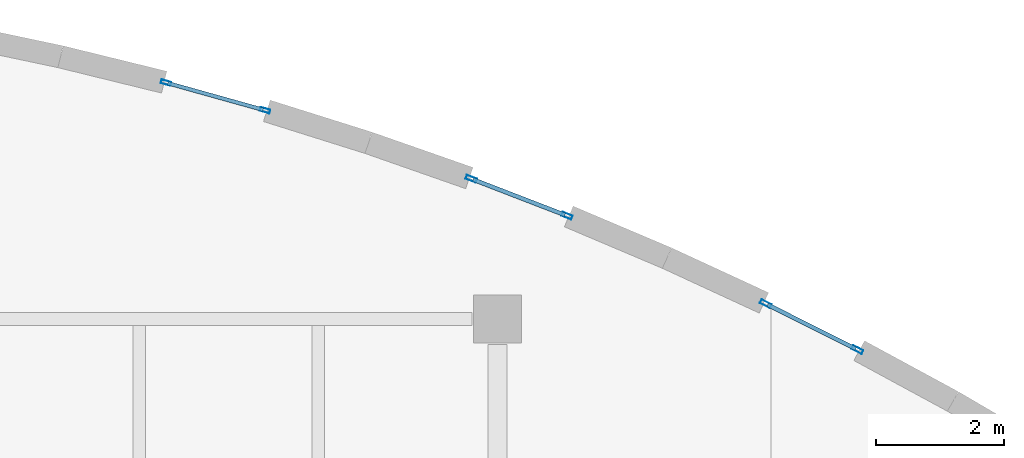
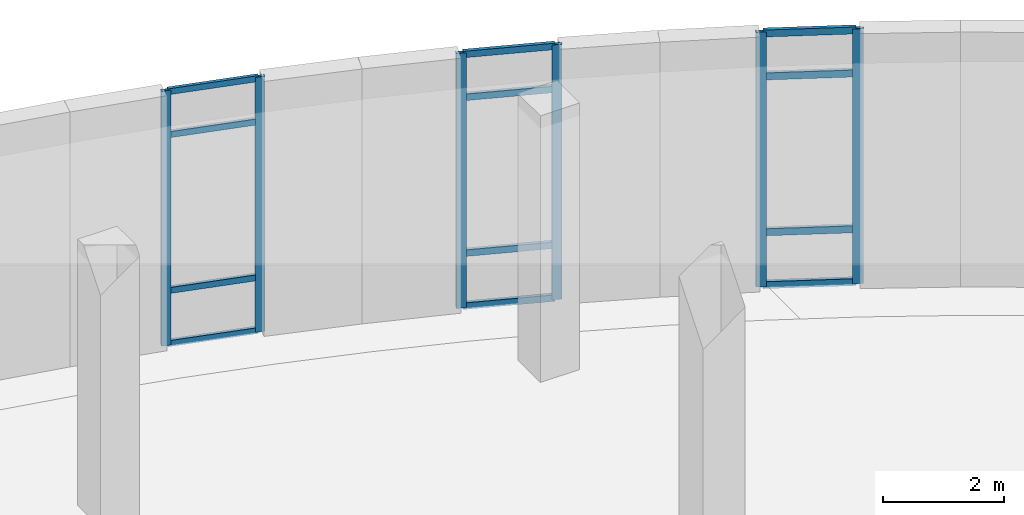
# One storey, part 54 of 110: 18 members, 3 elements without a shape of their own.
"""IFC4 building model written with IfcOpenShell, lengths in metres."""

import ifcopenshell
import ifcopenshell.guid

model = None  # the IFC model being written
_history = None  # IfcOwnerHistory: only IFC2X3 demands one
_inside = {}  # id of a spatial element -> (the spatial element, [elements in it])
_under = {}  # id of a project, library or spatial element -> (it, [spatial elements below it])
_declared = {}  # id of a project -> (the project, [libraries it declares])
_typed = {}  # id of a type object -> (the type object, [elements of that type])
_made_of = {}  # id of a material, layer set ... -> (it, [elements and type objects made of it])


def new_model(schema):
    """Start an empty IFC model of exactly this schema.

    Asked for "IFC4X3", IfcOpenShell would pick the latest addendum, in which some entities
    have other attributes; the version numbers below select the first issue.
    IFC2X3 requires an IfcOwnerHistory on every rooted entity: one is made here for all.
    """
    global model, _history
    if schema == "IFC4X3":
        model = ifcopenshell.file(schema_version=(4, 3, 0, 0))
    else:
        model = ifcopenshell.file(schema=schema)
    _inside.clear()
    _under.clear()
    _declared.clear()
    _typed.clear()
    _made_of.clear()
    _history = None
    if model.schema == "IFC2X3":
        org = make("IfcOrganization", Name="unknown")
        user = make(
            "IfcPersonAndOrganization",
            ThePerson=make("IfcPerson", FamilyName="unknown"),
            TheOrganization=org,
        )
        app = make(
            "IfcApplication",
            ApplicationDeveloper=org,
            Version="unknown",
            ApplicationFullName="unknown",
            ApplicationIdentifier="unknown",
        )
        _history = make(
            "IfcOwnerHistory",
            OwningUser=user,
            OwningApplication=app,
            ChangeAction="ADDED",
            CreationDate=0,
        )
    return model


def make(cls, **values):
    """One entity of the class cls with the attributes given. An attribute that is None is left unset."""
    return model.create_entity(
        cls, **{name: value for name, value in values.items() if value is not None}
    )


def rooted(cls, **values):
    """An entity with a GlobalId (a new one), such as an element, a storey or a relation."""
    return make(cls, GlobalId=ifcopenshell.guid.new(), OwnerHistory=_history, **values)


def si_unit(unit_type, name, prefix=None):
    """IfcSIUnit, for example si_unit("LENGTHUNIT", "METRE", prefix="MILLI")."""
    return make("IfcSIUnit", UnitType=unit_type, Prefix=prefix, Name=name)


def assignment(units):
    """IfcUnitAssignment: the units of a project."""
    return None if units is None else make("IfcUnitAssignment", Units=units)


def point(xyz):
    """IfcCartesianPoint."""
    return None if xyz is None else make("IfcCartesianPoint", Coordinates=xyz)


def direction(xyz):
    """IfcDirection."""
    return None if xyz is None else make("IfcDirection", DirectionRatios=xyz)


def frame(location, z_axis=None, x_axis=None):
    """IfcAxis2Placement3D, a coordinate frame: its origin and axes. An axis left out is left unset."""
    return make(
        "IfcAxis2Placement3D",
        Location=point(location),
        Axis=direction(z_axis),
        RefDirection=direction(x_axis),
    )


def frame_2d(location, x_axis=None):
    """IfcAxis2Placement2D, a coordinate frame in the plane: its origin and x axis."""
    return make(
        "IfcAxis2Placement2D", Location=point(location), RefDirection=direction(x_axis)
    )


def origin():
    """The frame at (0, 0, 0) with its axes left unset."""
    return frame((0.0, 0.0, 0.0))


def origin_2d():
    """The frame at (0, 0) in the plane with its x axis left unset."""
    return frame_2d((0.0, 0.0))


def place(relative_to, where):
    """IfcLocalPlacement: puts the frame where relative to a parent placement (None: the world)."""
    return make(
        "IfcLocalPlacement", PlacementRelTo=relative_to, RelativePlacement=where
    )


def context(
    kind, dimensions, precision=None, world=None, true_north=None, identifier=None
):
    """IfcGeometricRepresentationContext, for example the 3D "Model" context."""
    return make(
        "IfcGeometricRepresentationContext",
        ContextIdentifier=identifier,
        ContextType=kind,
        CoordinateSpaceDimension=dimensions,
        Precision=precision,
        WorldCoordinateSystem=world,
        TrueNorth=true_north,
    )


def subcontext(parent, identifier, kind, view, scale=None):
    """IfcGeometricRepresentationSubContext, for example "Body" below "Model"."""
    return make(
        "IfcGeometricRepresentationSubContext",
        ContextIdentifier=identifier,
        ContextType=kind,
        ParentContext=parent,
        TargetScale=scale,
        TargetView=view,
    )


def project(units=None, contexts=None):
    """IfcProject with its units and contexts."""
    return rooted(
        "IfcProject",
        Name="project",
        RepresentationContexts=contexts,
        UnitsInContext=assignment(units),
    )


def spatial(cls, under=None, at=None, **own):
    """A site, building, storey or space (cls), placed at a placement, below another one or the project."""
    s = rooted(cls, ObjectPlacement=at, **own)
    if under is not None:
        _under.setdefault(under.id(), (under, []))[1].append(s)
    return s


def profile(cls, at=None, kind="AREA", **sizes):
    """A parametric profile (cls). Its sizes go by their IFC names, for example OverallWidth=200.0."""
    return make(cls, ProfileType=kind, Position=at, **sizes)


def hollow_rectangle(**sizes):
    """IfcRectangleHollowProfileDef."""
    return profile("IfcRectangleHollowProfileDef", **sizes)


def extrude(swept, where, along, depth):
    """IfcExtrudedAreaSolid: the profile swept, set in the frame where, extruded along a direction by depth."""
    return make(
        "IfcExtrudedAreaSolid",
        SweptArea=swept,
        Position=where,
        ExtrudedDirection=direction(along),
        Depth=depth,
    )


def shape(context_of_items, identifier, shape_type, items):
    """IfcShapeRepresentation: the items that make up one representation, for example the "Body"."""
    return make(
        "IfcShapeRepresentation",
        ContextOfItems=context_of_items,
        RepresentationIdentifier=identifier,
        RepresentationType=shape_type,
        Items=items,
    )


def material(Name=None, Category=None):
    """IfcMaterial."""
    return make("IfcMaterial", Name=Name, Category=Category)


def layer(
    of_material, thickness, ventilated=None, Name=None, Category=None, Priority=None
):
    """IfcMaterialLayer: one layer of a wall or slab, of a material (None: an air gap)."""
    return make(
        "IfcMaterialLayer",
        Material=of_material,
        LayerThickness=thickness,
        IsVentilated=ventilated,
        Name=Name,
        Category=Category,
        Priority=Priority,
    )


def layer_set(layers, Name=None):
    """IfcMaterialLayerSet."""
    return make("IfcMaterialLayerSet", MaterialLayers=layers, LayerSetName=Name)


def material_profile(
    of_material, cross_section, Name=None, Category=None, Priority=None
):
    """IfcMaterialProfile: a cross section and its material."""
    return make(
        "IfcMaterialProfile",
        Name=Name,
        Material=of_material,
        Profile=cross_section,
        Priority=Priority,
        Category=Category,
    )


def profile_set(profiles, Name=None, composite=None):
    """IfcMaterialProfileSet."""
    return make(
        "IfcMaterialProfileSet",
        Name=Name,
        MaterialProfiles=profiles,
        CompositeProfile=composite,
    )


def made_of(thing, what):
    """Note that an element or type object is made of a material, layer set ...; save() writes the relation."""
    if what is not None:
        _made_of.setdefault(what.id(), (what, []))[1].append(thing)
    return thing


def type_object(cls, material=None, **own):
    """A type object (cls), such as IfcWallType, which elements share."""
    return made_of(rooted(cls, **own), material)


def element(
    cls,
    number,
    at=None,
    inside=None,
    cuts=None,
    type_object=None,
    material=None,
    context=None,
    identifier="Body",
    shape_type=None,
    held_by="IfcProductDefinitionShape",
    body=None,
    shapes=None,
    **own,
):
    """One element of the class cls, such as IfcWall. Its Tag is "e" and its number.

    at: its placement. inside: the storey or other place that contains it. cuts: it is an
    opening in that element (IfcRelVoidsElement). A single representation is given by context,
    identifier, shape_type and body (its items); several are given by shapes. held_by: the class
    of the entity that holds the representations. save() writes the other relations.
    """
    e = rooted(cls, Tag="e%d" % number, ObjectPlacement=at, **own)
    if body is not None:
        shapes = [shape(context, identifier, shape_type, body)]
    if shapes is not None:
        e.Representation = make(held_by, Representations=shapes)
    if inside is not None:
        _inside.setdefault(inside.id(), (inside, []))[1].append(e)
    if cuts is not None:
        rooted(
            "IfcRelVoidsElement", RelatingBuildingElement=cuts, RelatedOpeningElement=e
        )
    if type_object is not None:
        _typed.setdefault(type_object.id(), (type_object, []))[1].append(e)
    return made_of(e, material)


def aggregate(whole, parts):
    """IfcRelAggregates: a whole, such as a stair, and the parts it consists of."""
    return rooted("IfcRelAggregates", RelatingObject=whole, RelatedObjects=parts)


def save(model, path):
    """Write the relations noted so far, then the file.

    IfcRelAggregates (storeys below a building ...), IfcRelContainedInSpatialStructure (elements
    in a storey), IfcRelDefinesByType, IfcRelAssociatesMaterial and IfcRelDeclares: one each for
    every whole, place, type object, material and project.
    """
    for whole, parts in _under.values():
        aggregate(whole, parts)
    for where, things in _inside.values():
        rooted(
            "IfcRelContainedInSpatialStructure",
            RelatedElements=things,
            RelatingStructure=where,
        )
    for kind, things in _typed.values():
        rooted("IfcRelDefinesByType", RelatedObjects=things, RelatingType=kind)
    for what, things in _made_of.values():
        rooted("IfcRelAssociatesMaterial", RelatedObjects=things, RelatingMaterial=what)
    for by, libraries in _declared.values():
        rooted("IfcRelDeclares", RelatingContext=by, RelatedDefinitions=libraries)
    model.write(path)


model = new_model("IFC4")

# Units and contexts
model_context = context("Model", 3, precision=1e-05, world=origin(), true_north=direction((0.0, 1.0)))
body_context = subcontext(model_context, "Body", "Model", "MODEL_VIEW")
ifc_project = project(units=[si_unit("LENGTHUNIT", "METRE"), si_unit("AREAUNIT", "SQUARE_METRE"), si_unit("VOLUMEUNIT", "CUBIC_METRE"), si_unit("PLANEANGLEUNIT", "RADIAN"), si_unit("MASSUNIT", "GRAM", prefix="KILO"), si_unit("THERMODYNAMICTEMPERATUREUNIT", "KELVIN")], contexts=[model_context])

# Site, building, storey
site_placement = place(None, origin())
site = spatial("IfcSite", under=ifc_project, at=site_placement, CompositionType="ELEMENT")
building_placement = place(site_placement, origin())
building = spatial("IfcBuilding", under=site, at=building_placement, Name="Lustrewick Department Store", CompositionType="ELEMENT")
storey_placement = place(building_placement, frame((0.0, 0.0, 6.0)))
storey = spatial("IfcBuildingStorey", under=building, at=storey_placement, Name="L02", CompositionType="ELEMENT", Elevation=6.0)

# Curtain wall, members
ifc_material = material(Name="Thermally broken aluminium 6063-T5", Category="aluminium")
ifc_layer_1 = layer(ifc_material, 0.179931640625, Name="Thermally broken aluminium 6063-T5")
ifc_layer_set_1 = layer_set([ifc_layer_1], Name="Thermally broken aluminium 6063-T5")
curtain_wall_type_1 = type_object("IfcCurtainWallType", Name="CW02", PredefinedType="NOTDEFINED", material=ifc_layer_set_1)
curtain_wall_1_placement = place(storey_placement, origin())
curtain_wall_1 = element("IfcCurtainWall", 1, at=curtain_wall_1_placement, inside=storey, type_object=curtain_wall_type_1, Name="L02 V4 Curtain Wall CW02", PredefinedType="NOTDEFINED")
ifc_material_profile_1 = material_profile(ifc_material, hollow_rectangle(XDim=0.06494140625, YDim=0.179931640625, WallThickness=0.00390625, at=origin_2d()), Name="ALU-M 65x180x4")
ifc_profile_set_1 = profile_set([ifc_material_profile_1], Name="Thermally broken aluminium 6063-T5")
member_type_1 = type_object("IfcMemberType", Name="CW02-M1", PredefinedType="MULLION", material=ifc_profile_set_1)
member_1_placement = place(storey_placement, frame((140.02294921875, 105.7177734375, 0.0), z_axis=(0.0, 0.0, 1.0), x_axis=(-0.448269164132, -0.893898627635, 0.0)))
member_1 = element("IfcMember", 2, at=member_1_placement, type_object=member_type_1, Name="CW02 mullion 1", PredefinedType="MULLION", context=body_context, shape_type="SweptSolid", body=[
    extrude(hollow_rectangle(XDim=0.06494140625, YDim=0.179931640625, WallThickness=0.00390625, at=origin_2d()), origin(), (0.0, 0.0, 1.0), 5.14501953125),
])
member_2_placement = place(storey_placement, frame((138.591064453125, 106.435791015625, 0.0), z_axis=(0.0, 0.0, 1.0), x_axis=(-0.448269164132, -0.893898627635, 0.0)))
member_2 = element("IfcMember", 3, at=member_2_placement, type_object=member_type_1, Name="CW02 mullion 2", PredefinedType="MULLION", context=body_context, shape_type="SweptSolid", body=[
    extrude(hollow_rectangle(XDim=0.06494140625, YDim=0.179931640625, WallThickness=0.00390625, at=origin_2d()), origin(), (0.0, 0.0, 1.0), 5.14501953125),
])
ifc_material_profile_2 = material_profile(ifc_material, hollow_rectangle(XDim=0.06494140625, YDim=0.139892578125, WallThickness=0.00341796875, at=origin_2d()), Name="ALU-T 65x140x3.5")
ifc_profile_set_2 = profile_set([ifc_material_profile_2], Name="Thermally broken aluminium 6063-T5")
member_type_2 = type_object("IfcMemberType", Name="CW02-T1", PredefinedType="USERDEFINED", material=ifc_profile_set_2)
member_3_placement = place(storey_placement, frame((139.993896484375, 105.732421875, 0.032470703125), z_axis=(-0.893950079158, 0.44816654937, 0.0), x_axis=(-0.44816654937, -0.893950079158, 0.0)))
member_3 = element("IfcMember", 4, at=member_3_placement, type_object=member_type_2, Name="CW02 transom 1.1", ObjectType="TRANSOM", PredefinedType="USERDEFINED", context=body_context, shape_type="SweptSolid", body=[
    extrude(hollow_rectangle(XDim=0.06494140625, YDim=0.139892578125, WallThickness=0.00341796875, at=origin_2d()), origin(), (0.0, 0.0, 1.0), 1.536865234375),
])
member_4_placement = place(storey_placement, frame((139.993896484375, 105.732421875, 1.10009765625), z_axis=(-0.893950079158, 0.44816654937, 0.0), x_axis=(-0.44816654937, -0.893950079158, 0.0)))
member_4 = element("IfcMember", 5, at=member_4_placement, type_object=member_type_2, Name="CW02 transom 1.2", ObjectType="TRANSOM", PredefinedType="USERDEFINED", context=body_context, shape_type="SweptSolid", body=[
    extrude(hollow_rectangle(XDim=0.06494140625, YDim=0.139892578125, WallThickness=0.00341796875, at=origin_2d()), origin(), (0.0, 0.0, 1.0), 1.536865234375),
])
member_5_placement = place(storey_placement, frame((139.993896484375, 105.732421875, 4.2451171875), z_axis=(-0.893950079158, 0.44816654937, 0.0), x_axis=(-0.44816654937, -0.893950079158, 0.0)))
member_5 = element("IfcMember", 6, at=member_5_placement, type_object=member_type_2, Name="CW02 transom 1.3", ObjectType="TRANSOM", PredefinedType="USERDEFINED", context=body_context, shape_type="SweptSolid", body=[
    extrude(hollow_rectangle(XDim=0.06494140625, YDim=0.139892578125, WallThickness=0.00341796875, at=origin_2d()), origin(), (0.0, 0.0, 1.0), 1.536865234375),
])
member_6_placement = place(storey_placement, frame((139.993896484375, 105.732421875, 5.112548828125), z_axis=(-0.893950079158, 0.44816654937, 0.0), x_axis=(-0.44816654937, -0.893950079158, 0.0)))
member_6 = element("IfcMember", 7, at=member_6_placement, type_object=member_type_2, Name="CW02 transom 1.4", ObjectType="TRANSOM", PredefinedType="USERDEFINED", context=body_context, shape_type="SweptSolid", body=[
    extrude(hollow_rectangle(XDim=0.06494140625, YDim=0.139892578125, WallThickness=0.00341796875, at=origin_2d()), origin(), (0.0, 0.0, 1.0), 1.536865234375),
])
aggregate(curtain_wall_1, [member_1, member_2, member_3, member_4, member_5, member_6])

ifc_layer_2 = layer(ifc_material, 0.169921875, Name="Thermally broken aluminium 6063-T5")
ifc_layer_set_2 = layer_set([ifc_layer_2], Name="Thermally broken aluminium 6063-T5")
curtain_wall_type_2 = type_object("IfcCurtainWallType", Name="CW03", PredefinedType="NOTDEFINED", material=ifc_layer_set_2)
curtain_wall_2_placement = place(storey_placement, origin())
curtain_wall_2 = element("IfcCurtainWall", 8, at=curtain_wall_2_placement, inside=storey, type_object=curtain_wall_type_2, Name="L02 V4 Curtain Wall CW03", PredefinedType="NOTDEFINED")
ifc_material_profile_3 = material_profile(ifc_material, hollow_rectangle(XDim=0.06494140625, YDim=0.169921875, WallThickness=0.00390625, at=origin_2d()), Name="ALU-M 65x170x4")
ifc_profile_set_3 = profile_set([ifc_material_profile_3], Name="Thermally broken aluminium 6063-T5")
member_type_3 = type_object("IfcMemberType", Name="CW03-M1", PredefinedType="MULLION", material=ifc_profile_set_3)
member_7_placement = place(storey_placement, frame((135.483642578125, 107.8115234375, 0.0), z_axis=(0.0, 0.0, 1.0), x_axis=(-0.360369620251, -0.932809593004, 0.0)))
member_7 = element("IfcMember", 9, at=member_7_placement, type_object=member_type_3, Name="CW03 mullion 1", PredefinedType="MULLION", context=body_context, shape_type="SweptSolid", body=[
    extrude(hollow_rectangle(XDim=0.06494140625, YDim=0.169921875, WallThickness=0.00390625, at=origin_2d()), origin(), (0.0, 0.0, 1.0), 5.14501953125),
])
member_8_placement = place(storey_placement, frame((133.9892578125, 108.388671875, 0.0), z_axis=(0.0, 0.0, 1.0), x_axis=(-0.360369620251, -0.932809593004, 0.0)))
member_8 = element("IfcMember", 10, at=member_8_placement, type_object=member_type_3, Name="CW03 mullion 2", PredefinedType="MULLION", context=body_context, shape_type="SweptSolid", body=[
    extrude(hollow_rectangle(XDim=0.06494140625, YDim=0.169921875, WallThickness=0.00390625, at=origin_2d()), origin(), (0.0, 0.0, 1.0), 5.14501953125),
])
ifc_material_profile_4 = material_profile(ifc_material, hollow_rectangle(XDim=0.06494140625, YDim=0.1298828125, WallThickness=0.00341796875, at=origin_2d()), Name="ALU-T 65x130x3.5")
ifc_profile_set_4 = profile_set([ifc_material_profile_4], Name="Thermally broken aluminium 6063-T5")
member_type_4 = type_object("IfcMemberType", Name="CW03-T1", PredefinedType="USERDEFINED", material=ifc_profile_set_4)
member_9_placement = place(storey_placement, frame((135.453369140625, 107.8232421875, 0.032470703125), z_axis=(-0.932857587928, 0.360245361727, 0.0), x_axis=(-0.360245361727, -0.932857587928, 0.0)))
member_9 = element("IfcMember", 11, at=member_9_placement, type_object=member_type_4, Name="CW03 transom 1.1", ObjectType="TRANSOM", PredefinedType="USERDEFINED", context=body_context, shape_type="SweptSolid", body=[
    extrude(hollow_rectangle(XDim=0.06494140625, YDim=0.1298828125, WallThickness=0.00341796875, at=origin_2d()), origin(), (0.0, 0.0, 1.0), 1.537109375),
])
member_10_placement = place(storey_placement, frame((135.453369140625, 107.8232421875, 1.10009765625), z_axis=(-0.932857587928, 0.360245361727, 0.0), x_axis=(-0.360245361727, -0.932857587928, 0.0)))
member_10 = element("IfcMember", 12, at=member_10_placement, type_object=member_type_4, Name="CW03 transom 1.2", ObjectType="TRANSOM", PredefinedType="USERDEFINED", context=body_context, shape_type="SweptSolid", body=[
    extrude(hollow_rectangle(XDim=0.06494140625, YDim=0.1298828125, WallThickness=0.00341796875, at=origin_2d()), origin(), (0.0, 0.0, 1.0), 1.537109375),
])
member_11_placement = place(storey_placement, frame((135.453369140625, 107.8232421875, 4.2451171875), z_axis=(-0.932857587928, 0.360245361727, 0.0), x_axis=(-0.360245361727, -0.932857587928, 0.0)))
member_11 = element("IfcMember", 13, at=member_11_placement, type_object=member_type_4, Name="CW03 transom 1.3", ObjectType="TRANSOM", PredefinedType="USERDEFINED", context=body_context, shape_type="SweptSolid", body=[
    extrude(hollow_rectangle(XDim=0.06494140625, YDim=0.1298828125, WallThickness=0.00341796875, at=origin_2d()), origin(), (0.0, 0.0, 1.0), 1.537109375),
])
member_12_placement = place(storey_placement, frame((135.453369140625, 107.8232421875, 5.112548828125), z_axis=(-0.932857587928, 0.360245361727, 0.0), x_axis=(-0.360245361727, -0.932857587928, 0.0)))
member_12 = element("IfcMember", 14, at=member_12_placement, type_object=member_type_4, Name="CW03 transom 1.4", ObjectType="TRANSOM", PredefinedType="USERDEFINED", context=body_context, shape_type="SweptSolid", body=[
    extrude(hollow_rectangle(XDim=0.06494140625, YDim=0.1298828125, WallThickness=0.00341796875, at=origin_2d()), origin(), (0.0, 0.0, 1.0), 1.537109375),
])
aggregate(curtain_wall_2, [member_7, member_8, member_9, member_10, member_11, member_12])

ifc_layer_3 = layer(ifc_material, 0.159912109375, Name="Thermally broken aluminium 6063-T5")
ifc_layer_set_3 = layer_set([ifc_layer_3], Name="Thermally broken aluminium 6063-T5")
curtain_wall_type_3 = type_object("IfcCurtainWallType", Name="CW04", PredefinedType="NOTDEFINED", material=ifc_layer_set_3)
curtain_wall_3_placement = place(storey_placement, origin())
curtain_wall_3 = element("IfcCurtainWall", 15, at=curtain_wall_3_placement, inside=storey, type_object=curtain_wall_type_3, Name="L02 V4 Curtain Wall CW04", PredefinedType="NOTDEFINED")
ifc_material_profile_5 = material_profile(ifc_material, hollow_rectangle(XDim=0.06005859375, YDim=0.159912109375, WallThickness=0.00390625, at=origin_2d()), Name="ALU-M 60x160x4")
ifc_profile_set_5 = profile_set([ifc_material_profile_5], Name="Thermally broken aluminium 6063-T5")
member_type_5 = type_object("IfcMemberType", Name="CW04-M1", PredefinedType="MULLION", material=ifc_profile_set_5)
member_13_placement = place(storey_placement, frame((130.7666015625, 109.458740234375, 0.0), z_axis=(0.0, 0.0, 1.0), x_axis=(-0.269122540313, -0.963105943443, 0.0)))
member_13 = element("IfcMember", 16, at=member_13_placement, type_object=member_type_5, Name="CW04 mullion 1", PredefinedType="MULLION", context=body_context, shape_type="SweptSolid", body=[
    extrude(hollow_rectangle(XDim=0.06005859375, YDim=0.159912109375, WallThickness=0.00390625, at=origin_2d()), origin(), (0.0, 0.0, 1.0), 5.14501953125),
])
member_14_placement = place(storey_placement, frame((129.218994140625, 109.89111328125, 0.0), z_axis=(0.0, 0.0, 1.0), x_axis=(-0.269122540313, -0.963105943443, 0.0)))
member_14 = element("IfcMember", 17, at=member_14_placement, type_object=member_type_5, Name="CW04 mullion 2", PredefinedType="MULLION", context=body_context, shape_type="SweptSolid", body=[
    extrude(hollow_rectangle(XDim=0.06005859375, YDim=0.159912109375, WallThickness=0.00390625, at=origin_2d()), origin(), (0.0, 0.0, 1.0), 5.14501953125),
])
ifc_material_profile_6 = material_profile(ifc_material, hollow_rectangle(XDim=0.06005859375, YDim=0.1201171875, WallThickness=0.00341796875, at=origin_2d()), Name="ALU-T 60x120x3.5")
ifc_profile_set_6 = profile_set([ifc_material_profile_6], Name="Thermally broken aluminium 6063-T5")
member_type_6 = type_object("IfcMemberType", Name="CW04-T1", PredefinedType="USERDEFINED", material=ifc_profile_set_6)
member_15_placement = place(storey_placement, frame((130.737548828125, 109.466796875, 0.030029296875), z_axis=(-0.963109770837, 0.269108842884, 0.0), x_axis=(-0.269108842884, -0.963109770837, 0.0)))
member_15 = element("IfcMember", 18, at=member_15_placement, type_object=member_type_6, Name="CW04 transom 1.1", ObjectType="TRANSOM", PredefinedType="USERDEFINED", context=body_context, shape_type="SweptSolid", body=[
    extrude(hollow_rectangle(XDim=0.06005859375, YDim=0.1201171875, WallThickness=0.00341796875, at=origin_2d()), origin(), (0.0, 0.0, 1.0), 1.546875),
])
member_16_placement = place(storey_placement, frame((130.737548828125, 109.466796875, 1.10009765625), z_axis=(-0.963109770837, 0.269108842884, 0.0), x_axis=(-0.269108842884, -0.963109770837, 0.0)))
member_16 = element("IfcMember", 19, at=member_16_placement, type_object=member_type_6, Name="CW04 transom 1.2", ObjectType="TRANSOM", PredefinedType="USERDEFINED", context=body_context, shape_type="SweptSolid", body=[
    extrude(hollow_rectangle(XDim=0.06005859375, YDim=0.1201171875, WallThickness=0.00341796875, at=origin_2d()), origin(), (0.0, 0.0, 1.0), 1.546875),
])
member_17_placement = place(storey_placement, frame((130.737548828125, 109.466796875, 4.2451171875), z_axis=(-0.963109770837, 0.269108842884, 0.0), x_axis=(-0.269108842884, -0.963109770837, 0.0)))
member_17 = element("IfcMember", 20, at=member_17_placement, type_object=member_type_6, Name="CW04 transom 1.3", ObjectType="TRANSOM", PredefinedType="USERDEFINED", context=body_context, shape_type="SweptSolid", body=[
    extrude(hollow_rectangle(XDim=0.06005859375, YDim=0.1201171875, WallThickness=0.00341796875, at=origin_2d()), origin(), (0.0, 0.0, 1.0), 1.546875),
])
member_18_placement = place(storey_placement, frame((130.737548828125, 109.466796875, 5.114990234375), z_axis=(-0.963109770837, 0.269108842884, 0.0), x_axis=(-0.269108842884, -0.963109770837, 0.0)))
member_18 = element("IfcMember", 21, at=member_18_placement, type_object=member_type_6, Name="CW04 transom 1.4", ObjectType="TRANSOM", PredefinedType="USERDEFINED", context=body_context, shape_type="SweptSolid", body=[
    extrude(hollow_rectangle(XDim=0.06005859375, YDim=0.1201171875, WallThickness=0.00341796875, at=origin_2d()), origin(), (0.0, 0.0, 1.0), 1.546875),
])
aggregate(curtain_wall_3, [member_13, member_14, member_15, member_16, member_17, member_18])

save(model, "model.ifc")
